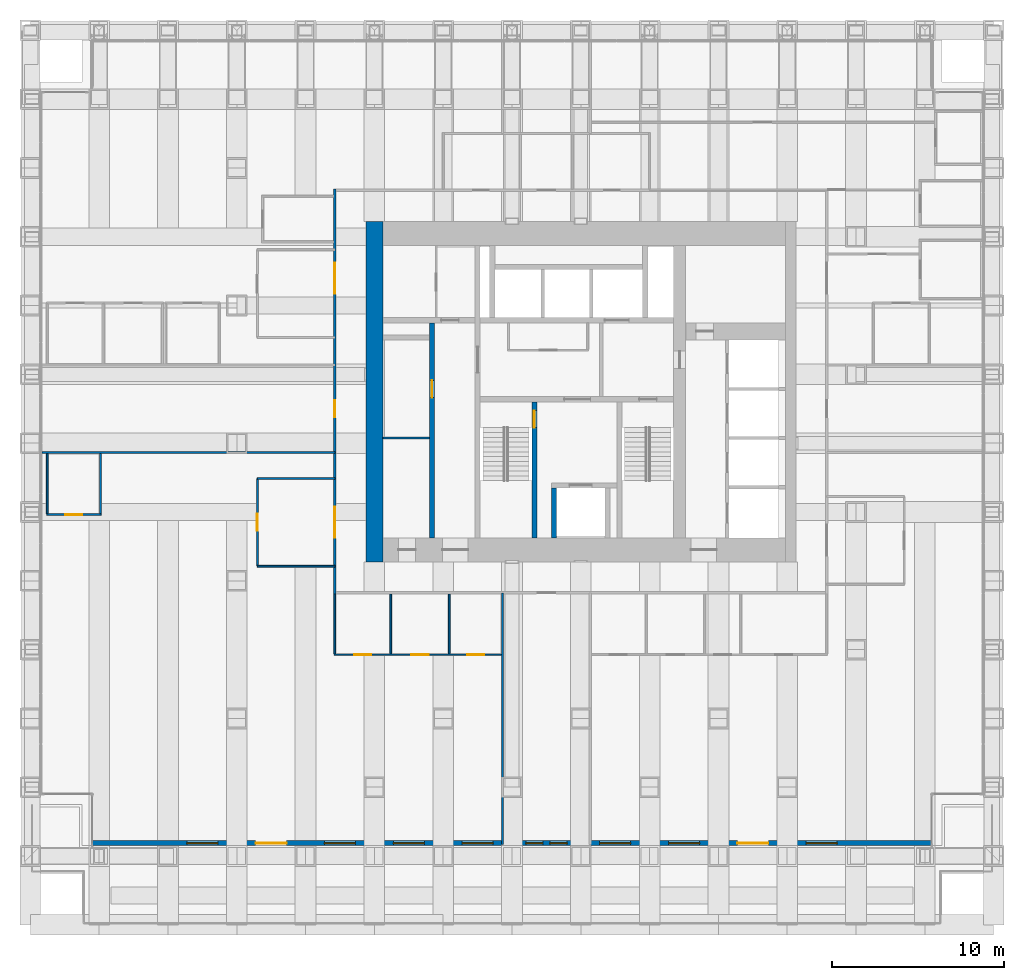
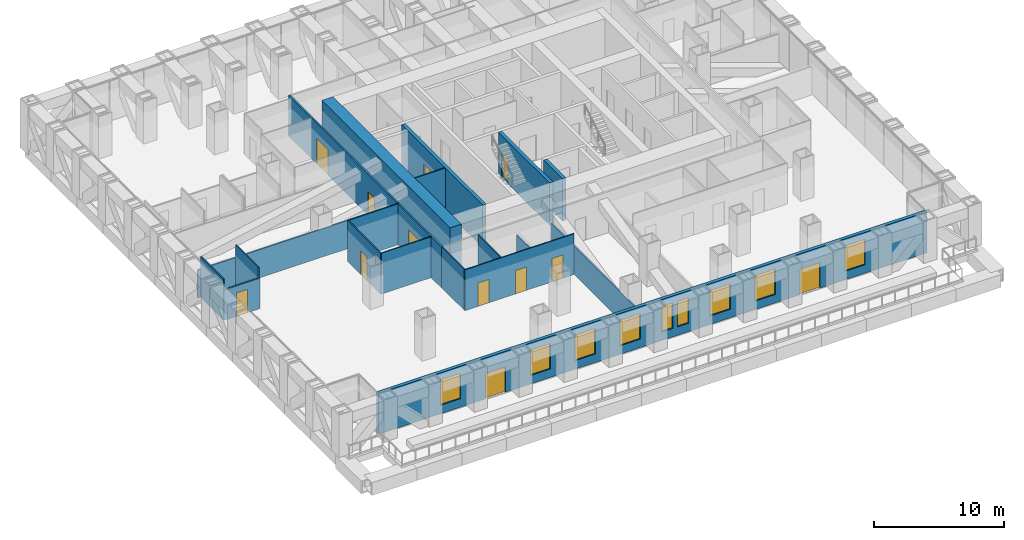
# One storey, part 12 of 18: 19 walls, 12 doors, 9 windows, 21 openings.
"""IFC4 building model written with IfcOpenShell, lengths in metres."""

from ifc_helpers import new_model, si_unit, direction, frame, frame_2d, origin, place, context, subcontext, project, spatial, rectangle, extrude, material, layer, layer_set, type_object, element, fill, save


model = new_model("IFC4")

# Units and contexts
model_context = context("Model", 3, precision=1e-05, world=origin(), true_north=direction((0.0, 1.0)))
body_context = subcontext(model_context, "Body", "Model", "MODEL_VIEW")
ifc_project = project(units=[si_unit("LENGTHUNIT", "METRE"), si_unit("AREAUNIT", "SQUARE_METRE"), si_unit("VOLUMEUNIT", "CUBIC_METRE"), si_unit("PLANEANGLEUNIT", "RADIAN"), si_unit("MASSUNIT", "GRAM", prefix="KILO")], contexts=[model_context])

# Site, building, storey
site_placement = place(None, origin())
site = spatial("IfcSite", under=ifc_project, at=site_placement, CompositionType="ELEMENT")
building_placement = place(site_placement, origin())
building = spatial("IfcBuilding", under=site, at=building_placement, Name="Rimbunsela Tower", CompositionType="ELEMENT")
storey_placement = place(building_placement, frame((0.0, 0.0, 43.0)))
storey = spatial("IfcBuildingStorey", under=building, at=storey_placement, Name="L10", CompositionType="ELEMENT", Elevation=43.0)

# Wall, opening, door
ifc_material_1 = material(Name="Concrete fc' 80 MPa", Category="concrete")
ifc_layer_1 = layer(ifc_material_1, 0.300048828125)
ifc_layer_set_1 = layer_set([ifc_layer_1], Name="Core internal wall 300")
wall_type_1 = type_object("IfcWallType", Name="Core internal wall 300", PredefinedType="SHEAR", material=ifc_layer_set_1)
wall_1_placement = place(storey_placement, frame((27.300048828125, 18.5, -0.14990234375), z_axis=(0.0, 0.0, 1.0), x_axis=(0.0, 1.0, 0.0)))
wall_1 = element("IfcWall", 1, at=wall_1_placement, inside=storey, type_object=wall_type_1, Name="Stair A enclosure", PredefinedType="SHEAR", context=body_context, shape_type="SweptSolid", body=[
    extrude(rectangle(XDim=7.89990234375, YDim=0.300048828125, at=frame_2d((3.949951171875, 0.0))), origin(), (0.0, 0.0, 1.0), 4.0),
])
opening_1_placement = place(wall_1_placement, frame((6.39990234375, 0.0, 0.14990234375)))
opening_1 = element("IfcOpeningElement", 2, at=opening_1_placement, cuts=wall_1, Name="Opening D01", PredefinedType="OPENING", context=body_context, shape_type="SweptSolid", body=[
    extrude(rectangle(XDim=1.0, YDim=2.199951171875, at=frame_2d((0.5, 1.10009765625))), frame((0.0, 0.159912109375, 0.0), z_axis=(0.0, -1.0, 0.0), x_axis=(1.0, 0.0, 0.0)), (0.0, 0.0, 1.0), 0.320068359375),
])
ifc_material_2 = material(Name="Steel door, fire rated", Category="steel")
door_type_1 = type_object("IfcDoorType", Name="Stair door 1000", OperationType="SINGLE_SWING_RIGHT", PredefinedType="DOOR", material=ifc_material_2)
door_1_placement = place(opening_1_placement, origin())
door_1 = element("IfcDoor", 3, at=door_1_placement, inside=storey, type_object=door_type_1, Name="Stair A door", OperationType="SINGLE_SWING_RIGHT", OverallHeight=2.199951171875, OverallWidth=1.0, PredefinedType="DOOR", context=body_context, shape_type="SweptSolid", body=[
    extrude(rectangle(XDim=1.0, YDim=2.199951171875, at=frame_2d((0.5, 1.10009765625))), frame((0.0, 0.02490234375, 0.0), z_axis=(0.0, -1.0, 0.0), x_axis=(1.0, 0.0, 0.0)), (0.0, 0.0, 1.0), 0.050048828125),
])
fill(opening_1, door_1)

# Wall
wall_2_placement = place(storey_placement, frame((28.449951171875, 18.5, -0.14990234375), z_axis=(0.0, 0.0, 1.0), x_axis=(0.0, 1.0, 0.0)))
element("IfcWall", 4, at=wall_2_placement, inside=storey, type_object=wall_type_1, Name="Firefighting lift shaft west", PredefinedType="SHEAR", context=body_context, shape_type="SweptSolid", body=[
    extrude(rectangle(XDim=2.89990234375, YDim=0.300048828125, at=frame_2d((1.449951171875, 0.0))), origin(), (0.0, 0.0, 1.0), 4.0),
])

# Wall, opening, door
wall_3_placement = place(storey_placement, frame((21.35009765625, 18.5, -0.14990234375), z_axis=(0.0, 0.0, 1.0), x_axis=(0.0, 1.0, 0.0)))
wall_3 = element("IfcWall", 5, at=wall_3_placement, inside=storey, type_object=wall_type_1, Name="Lift shaft front west", PredefinedType="SHEAR", context=body_context, shape_type="SweptSolid", body=[
    extrude(rectangle(XDim=12.5, YDim=0.300048828125, at=frame_2d((6.25, 0.0))), origin(), (0.0, 0.0, 1.0), 4.0),
])
opening_2_placement = place(wall_3_placement, frame((8.14990234375, 0.0, 0.14990234375)))
opening_2 = element("IfcOpeningElement", 6, at=opening_2_placement, cuts=wall_3, Name="Opening D19", PredefinedType="OPENING", context=body_context, shape_type="SweptSolid", body=[
    extrude(rectangle(XDim=1.0, YDim=2.199951171875, at=frame_2d((0.5, 1.10009765625))), frame((0.0, 0.159912109375, 0.0), z_axis=(0.0, -1.0, 0.0), x_axis=(1.0, 0.0, 0.0)), (0.0, 0.0, 1.0), 0.320068359375),
])
ifc_material_3 = material(Name="Steel door, fire rated", Category="steel")
door_type_2 = type_object("IfcDoorType", Name="Service door 1000 fire rated", OperationType="SINGLE_SWING_LEFT", PredefinedType="DOOR", material=ifc_material_3)
door_2_placement = place(opening_2_placement, origin())
door_2 = element("IfcDoor", 7, at=door_2_placement, inside=storey, type_object=door_type_2, Name="Staff WC door", OperationType="SINGLE_SWING_LEFT", OverallHeight=2.199951171875, OverallWidth=1.0, PredefinedType="DOOR", context=body_context, shape_type="SweptSolid", body=[
    extrude(rectangle(XDim=1.0, YDim=2.199951171875, at=frame_2d((0.5, 1.10009765625))), frame((0.0, 0.02490234375, 0.0), z_axis=(0.0, -1.0, 0.0), x_axis=(1.0, 0.0, 0.0)), (0.0, 0.0, 1.0), 0.050048828125),
])
fill(opening_2, door_2)

# Walls
ifc_material_4 = material(Name="Concrete blockwork", Category="masonry")
ifc_layer_2 = layer(ifc_material_4, 0.10009765625)
ifc_layer_set_2 = layer_set([ifc_layer_2], Name="Core room partition 100")
wall_type_2 = type_object("IfcWallType", Name="Core room partition 100", PredefinedType="PARTITIONING", material=ifc_layer_set_2)
wall_4_placement = place(storey_placement, frame((18.5, 24.300048828125, 0.0), z_axis=(0.0, 0.0, 1.0), x_axis=(1.0, 0.0, 0.0)))
element("IfcWall", 8, at=wall_4_placement, inside=storey, type_object=wall_type_2, Name="Staff WC wall", PredefinedType="PARTITIONING", context=body_context, shape_type="SweptSolid", body=[
    extrude(rectangle(XDim=2.699951171875, YDim=0.10009765625, at=frame_2d((1.35009765625, 0.0))), origin(), (0.0, 0.0, 1.0), 3.85009765625),
])
ifc_material_5 = material(Name="Concrete fc' 80 MPa", Category="concrete")
ifc_layer_3 = layer(ifc_material_5, 1.0)
ifc_layer_set_3 = layer_set([ifc_layer_3], Name="Core wall 1000")
wall_type_3 = type_object("IfcWallType", Name="Core wall 1000", PredefinedType="SHEAR", material=ifc_layer_set_3)
wall_5_placement = place(storey_placement, frame((18.0, 17.10009765625, -0.14990234375), z_axis=(0.0, 0.0, 1.0), x_axis=(0.0, 1.0, 0.0)))
element("IfcWall", 9, at=wall_5_placement, inside=storey, type_object=wall_type_3, Name="Core wall west", PredefinedType="SHEAR", context=body_context, shape_type="SweptSolid", body=[
    extrude(rectangle(XDim=19.7998046875, YDim=1.0, at=frame_2d((9.89990234375, 0.0))), origin(), (0.0, 0.0, 1.0), 4.0),
])

# Wall, openings, doors
ifc_material_6 = material(Name="Gypsum board on steel studs", Category="steel")
ifc_layer_4 = layer(ifc_material_6, 0.10009765625)
ifc_layer_set_4 = layer_set([ifc_layer_4], Name="Office partition 100")
wall_type_4 = type_object("IfcWallType", Name="Office partition 100", PredefinedType="PARTITIONING", material=ifc_layer_set_4)
wall_6_placement = place(storey_placement, frame((15.64990234375, 11.699951171875, 0.0), z_axis=(0.0, 0.0, 1.0), x_axis=(1.0, 0.0, 0.0)))
wall_6 = element("IfcWall", 10, at=wall_6_placement, inside=storey, type_object=wall_type_4, Name="Office partition", PredefinedType="PARTITIONING", context=body_context, shape_type="SweptSolid", body=[
    extrude(rectangle(XDim=9.739013671875, YDim=0.10009765625, at=frame_2d((4.86962890625, 0.0))), origin(), (0.0, 0.0, 1.0), 3.85009765625),
])
opening_3_placement = place(wall_6_placement, frame((1.175048828125, 0.0, 0.0)))
opening_3 = element("IfcOpeningElement", 11, at=opening_3_placement, cuts=wall_6, Name="Opening D16", PredefinedType="OPENING", context=body_context, shape_type="SweptSolid", body=[
    extrude(rectangle(XDim=1.0, YDim=2.199951171875, at=frame_2d((0.5, 1.10009765625))), frame((0.0, 0.06005859375, 0.0), z_axis=(0.0, -1.0, 0.0), x_axis=(1.0, 0.0, 0.0)), (0.0, 0.0, 1.0), 0.1201171875),
])
opening_4_placement = place(wall_6_placement, frame((4.5, 0.0, 0.0)))
opening_4 = element("IfcOpeningElement", 12, at=opening_4_placement, cuts=wall_6, Name="Opening D16", PredefinedType="OPENING", context=body_context, shape_type="SweptSolid", body=[
    extrude(rectangle(XDim=1.0, YDim=2.199951171875, at=frame_2d((0.5, 1.10009765625))), frame((0.0, 0.06005859375, 0.0), z_axis=(0.0, -1.0, 0.0), x_axis=(1.0, 0.0, 0.0)), (0.0, 0.0, 1.0), 0.1201171875),
])
opening_5_placement = place(wall_6_placement, frame((7.74951171875, 0.0, 0.0)))
opening_5 = element("IfcOpeningElement", 13, at=opening_5_placement, cuts=wall_6, Name="Opening D16", PredefinedType="OPENING", context=body_context, shape_type="SweptSolid", body=[
    extrude(rectangle(XDim=1.0, YDim=2.199951171875, at=frame_2d((0.5, 1.10009765625))), frame((0.0, 0.06005859375, 0.0), z_axis=(0.0, -1.0, 0.0), x_axis=(1.0, 0.0, 0.0)), (0.0, 0.0, 1.0), 0.1201171875),
])
ifc_material_7 = material(Name="Timber door", Category="wood")
door_type_3 = type_object("IfcDoorType", Name="Office door 1000", OperationType="SINGLE_SWING_LEFT", PredefinedType="DOOR", material=ifc_material_7)
door_3_placement = place(opening_3_placement, origin())
door_3 = element("IfcDoor", 14, at=door_3_placement, inside=storey, type_object=door_type_3, Name="Office door", OperationType="SINGLE_SWING_LEFT", OverallHeight=2.199951171875, OverallWidth=1.0, PredefinedType="DOOR", context=body_context, shape_type="SweptSolid", body=[
    extrude(rectangle(XDim=1.0, YDim=2.199951171875, at=frame_2d((0.5, 1.10009765625))), frame((0.0, 0.02490234375, 0.0), z_axis=(0.0, -1.0, 0.0), x_axis=(1.0, 0.0, 0.0)), (0.0, 0.0, 1.0), 0.050048828125),
])
fill(opening_3, door_3)
door_4_placement = place(opening_4_placement, origin())
door_4 = element("IfcDoor", 15, at=door_4_placement, inside=storey, type_object=door_type_3, Name="Office door", OperationType="SINGLE_SWING_LEFT", OverallHeight=2.199951171875, OverallWidth=1.0, PredefinedType="DOOR", context=body_context, shape_type="SweptSolid", body=[
    extrude(rectangle(XDim=1.0, YDim=2.199951171875, at=frame_2d((0.5, 1.10009765625))), frame((0.0, 0.02490234375, 0.0), z_axis=(0.0, -1.0, 0.0), x_axis=(1.0, 0.0, 0.0)), (0.0, 0.0, 1.0), 0.050048828125),
])
fill(opening_4, door_4)
door_5_placement = place(opening_5_placement, origin())
door_5 = element("IfcDoor", 16, at=door_5_placement, inside=storey, type_object=door_type_3, Name="Office door", OperationType="SINGLE_SWING_LEFT", OverallHeight=2.199951171875, OverallWidth=1.0, PredefinedType="DOOR", context=body_context, shape_type="SweptSolid", body=[
    extrude(rectangle(XDim=1.0, YDim=2.199951171875, at=frame_2d((0.5, 1.10009765625))), frame((0.0, 0.02490234375, 0.0), z_axis=(0.0, -1.0, 0.0), x_axis=(1.0, 0.0, 0.0)), (0.0, 0.0, 1.0), 0.050048828125),
])
fill(opening_5, door_5)

# Wall, opening, door
wall_7_placement = place(storey_placement, frame((-1.070068359375, 19.85009765625, 0.0), z_axis=(0.0, 0.0, 1.0), x_axis=(1.0, 0.0, 0.0)))
wall_7 = element("IfcWall", 17, at=wall_7_placement, inside=storey, type_object=wall_type_4, Name="Office partition", PredefinedType="PARTITIONING", context=body_context, shape_type="SweptSolid", body=[
    extrude(rectangle(XDim=3.199951171875, YDim=0.10009765625, at=frame_2d((1.60009765625, 0.0))), origin(), (0.0, 0.0, 1.0), 2.85009765625),
])
opening_6_placement = place(wall_7_placement, frame((1.10009765625, 0.0, 0.0)))
opening_6 = element("IfcOpeningElement", 18, at=opening_6_placement, cuts=wall_7, Name="Opening D16", PredefinedType="OPENING", context=body_context, shape_type="SweptSolid", body=[
    extrude(rectangle(XDim=1.0, YDim=2.199951171875, at=frame_2d((0.5, 1.10009765625))), frame((0.0, 0.06005859375, 0.0), z_axis=(0.0, -1.0, 0.0), x_axis=(1.0, 0.0, 0.0)), (0.0, 0.0, 1.0), 0.1201171875),
])
door_6_placement = place(opening_6_placement, origin())
door_6 = element("IfcDoor", 19, at=door_6_placement, inside=storey, type_object=door_type_3, Name="Office door", OperationType="SINGLE_SWING_LEFT", OverallHeight=2.199951171875, OverallWidth=1.0, PredefinedType="DOOR", context=body_context, shape_type="SweptSolid", body=[
    extrude(rectangle(XDim=1.0, YDim=2.199951171875, at=frame_2d((0.5, 1.10009765625))), frame((0.0, 0.02490234375, 0.0), z_axis=(0.0, -1.0, 0.0), x_axis=(1.0, 0.0, 0.0)), (0.0, 0.0, 1.0), 0.050048828125),
])
fill(opening_6, door_6)

# Walls
for number, where, z_axis, x_axis, name in (
    (20, (-1.02001953125, 19.89990234375, 0.0), (0.0, 0.0, 1.0), (0.0, 1.0, 0.0), "Office partition"),
    (21, (2.080078125, 19.89990234375, 0.0), (0.0, 0.0, 1.0), (0.0, 1.0, 0.0), "Office partition"),
):
    element("IfcWall", number, at=place(storey_placement, frame(where, z_axis=z_axis, x_axis=x_axis)), inside=storey, type_object=wall_type_4, Name=name, PredefinedType="PARTITIONING", context=body_context, shape_type="SweptSolid", body=[
        extrude(rectangle(XDim=3.489990234375, YDim=0.10009765625, at=frame_2d((1.7451171875, 0.0))), origin(), (0.0, 0.0, 1.0), 3.85009765625),
    ])
for number, where, z_axis, x_axis, name in (
    (22, (15.699951171875, 11.75, 0.0), (0.0, 0.0, 1.0), (0.0, 1.0, 0.0), "Office partition"),
    (23, (18.949951171875, 11.75, 0.0), (0.0, 0.0, 1.0), (0.0, 1.0, 0.0), "Office partition"),
):
    element("IfcWall", number, at=place(storey_placement, frame(where, z_axis=z_axis, x_axis=x_axis)), inside=storey, type_object=wall_type_4, Name=name, PredefinedType="PARTITIONING", context=body_context, shape_type="SweptSolid", body=[
        extrude(rectangle(XDim=3.47509765625, YDim=0.10009765625, at=frame_2d((1.737548828125, 0.0))), origin(), (0.0, 0.0, 1.0), 3.85009765625),
    ])
wall_8_placement = place(storey_placement, frame((22.35009765625, 11.75, 0.0), z_axis=(0.0, 0.0, 1.0), x_axis=(0.0, 1.0, 0.0)))
element("IfcWall", 24, at=wall_8_placement, inside=storey, type_object=wall_type_4, Name="Office partition", PredefinedType="PARTITIONING", context=body_context, shape_type="SweptSolid", body=[
    extrude(rectangle(XDim=3.47509765625, YDim=0.10009765625, at=frame_2d((1.737548828125, 0.0))), origin(), (0.0, 0.0, 1.0), 2.64990234375),
])
wall_9_placement = place(storey_placement, frame((15.699951171875, 21.948974609375, 0.0), z_axis=(0.0, 0.0, 1.0), x_axis=(-1.0, 0.0, 0.0)))
element("IfcWall", 25, at=wall_9_placement, inside=storey, type_object=wall_type_4, Name="Office partition", PredefinedType="PARTITIONING", context=body_context, shape_type="SweptSolid", body=[
    extrude(rectangle(XDim=4.5, YDim=0.10009765625, at=frame_2d((2.25, 0.0))), origin(), (0.0, 0.0, 1.0), 3.85009765625),
])

# Wall, opening, door
wall_10_placement = place(storey_placement, frame((11.199951171875, 21.948974609375, 0.0), z_axis=(0.0, 0.0, 1.0), x_axis=(0.0, -1.0, 0.0)))
wall_10 = element("IfcWall", 26, at=wall_10_placement, inside=storey, type_object=wall_type_4, Name="Office partition", PredefinedType="PARTITIONING", context=body_context, shape_type="SweptSolid", body=[
    extrude(rectangle(XDim=5.099853515625, YDim=0.10009765625, at=frame_2d((2.5498046875, 0.0))), origin(), (0.0, 0.0, 1.0), 3.85009765625),
])
opening_7_placement = place(wall_10_placement, frame((2.050048828125, 0.0, 0.0)))
opening_7 = element("IfcOpeningElement", 27, at=opening_7_placement, cuts=wall_10, Name="Opening D17", PredefinedType="OPENING", context=body_context, shape_type="SweptSolid", body=[
    extrude(rectangle(XDim=1.0, YDim=2.199951171875, at=frame_2d((0.5, 1.10009765625))), frame((0.0, 0.06005859375, 0.0), z_axis=(0.0, -1.0, 0.0), x_axis=(1.0, 0.0, 0.0)), (0.0, 0.0, 1.0), 0.1201171875),
])
ifc_material_8 = material(Name="Glazed aluminium door", Category="aluminium")
door_type_4 = type_object("IfcDoorType", Name="Meeting room door 1000 glazed", OperationType="SINGLE_SWING_RIGHT", PredefinedType="DOOR", material=ifc_material_8)
door_7_placement = place(opening_7_placement, origin())
door_7 = element("IfcDoor", 28, at=door_7_placement, inside=storey, type_object=door_type_4, Name="Reception door", OperationType="SINGLE_SWING_RIGHT", OverallHeight=2.199951171875, OverallWidth=1.0, PredefinedType="DOOR", context=body_context, shape_type="SweptSolid", body=[
    extrude(rectangle(XDim=1.0, YDim=2.199951171875, at=frame_2d((0.5, 1.10009765625))), frame((0.0, 0.02490234375, 0.0), z_axis=(0.0, -1.0, 0.0), x_axis=(1.0, 0.0, 0.0)), (0.0, 0.0, 1.0), 0.050048828125),
])
fill(opening_7, door_7)

# Wall
wall_11_placement = place(storey_placement, frame((11.199951171875, 16.84912109375, 0.0), z_axis=(0.0, 0.0, 1.0), x_axis=(1.0, 0.0, 0.0)))
element("IfcWall", 29, at=wall_11_placement, inside=storey, type_object=wall_type_4, Name="Office partition", PredefinedType="PARTITIONING", context=body_context, shape_type="SweptSolid", body=[
    extrude(rectangle(XDim=4.5, YDim=0.10009765625, at=frame_2d((2.25, 0.0))), origin(), (0.0, 0.0, 1.0), 3.85009765625),
])

# Wall, openings, doors
ifc_material_9 = material(Name="Fire-rated gypsum board on steel studs, EI 60", Category="steel")
ifc_layer_5 = layer(ifc_material_9, 0.14990234375)
ifc_layer_set_5 = layer_set([ifc_layer_5], Name="Rated corridor wall 150")
wall_type_5 = type_object("IfcWallType", Name="Rated corridor wall 150", PredefinedType="PARTITIONING", material=ifc_layer_set_5)
wall_12_placement = place(storey_placement, frame((15.699951171875, 15.22509765625, 0.0), z_axis=(0.0, 0.0, 1.0), x_axis=(0.0, 1.0, 0.0)))
wall_12 = element("IfcWall", 30, at=wall_12_placement, inside=storey, type_object=wall_type_5, Name="Corridor wall west", PredefinedType="PARTITIONING", context=body_context, shape_type="SweptSolid", body=[
    extrude(rectangle(XDim=23.5498046875, YDim=0.14990234375, at=frame_2d((11.77490234375, 0.0))), origin(), (0.0, 0.0, 1.0), 3.85009765625),
])
opening_8_placement = place(wall_12_placement, frame((3.27392578125, 0.0, 0.0)))
opening_8 = element("IfcOpeningElement", 31, at=opening_8_placement, cuts=wall_12, Name="Opening D09", PredefinedType="OPENING", context=body_context, shape_type="SweptSolid", body=[
    extrude(rectangle(XDim=1.800048828125, YDim=2.39990234375, at=frame_2d((0.89990234375, 1.199951171875))), frame((0.0, 0.0849609375, 0.0), z_axis=(0.0, -1.0, 0.0), x_axis=(1.0, 0.0, 0.0)), (0.0, 0.0, 1.0), 0.169921875),
])
opening_9_placement = place(wall_12_placement, frame((17.47509765625, 0.0, 0.0)))
opening_9 = element("IfcOpeningElement", 32, at=opening_9_placement, cuts=wall_12, Name="Opening D09", PredefinedType="OPENING", context=body_context, shape_type="SweptSolid", body=[
    extrude(rectangle(XDim=1.800048828125, YDim=2.39990234375, at=frame_2d((0.89990234375, 1.199951171875))), frame((0.0, 0.0849609375, 0.0), z_axis=(0.0, -1.0, 0.0), x_axis=(1.0, 0.0, 0.0)), (0.0, 0.0, 1.0), 0.169921875),
])
opening_10_placement = place(wall_12_placement, frame((10.27490234375, 0.0, 0.0)))
opening_10 = element("IfcOpeningElement", 33, at=opening_10_placement, cuts=wall_12, Name="Opening D19", PredefinedType="OPENING", context=body_context, shape_type="SweptSolid", body=[
    extrude(rectangle(XDim=1.0, YDim=2.199951171875, at=frame_2d((0.5, 1.10009765625))), frame((0.0, 0.0849609375, 0.0), z_axis=(0.0, -1.0, 0.0), x_axis=(1.0, 0.0, 0.0)), (0.0, 0.0, 1.0), 0.169921875),
])
door_8_placement = place(opening_10_placement, origin())
door_8 = element("IfcDoor", 34, at=door_8_placement, inside=storey, type_object=door_type_2, Name="Service chase access door", OperationType="SINGLE_SWING_LEFT", OverallHeight=2.199951171875, OverallWidth=1.0, PredefinedType="DOOR", context=body_context, shape_type="SweptSolid", body=[
    extrude(rectangle(XDim=1.0, YDim=2.199951171875, at=frame_2d((0.5, 1.10009765625))), frame((0.0, 0.02490234375, 0.0), z_axis=(0.0, -1.0, 0.0), x_axis=(1.0, 0.0, 0.0)), (0.0, 0.0, 1.0), 0.050048828125),
])
fill(opening_10, door_8)
ifc_material_10 = material(Name="Glazed aluminium door, fire rated", Category="aluminium")
door_type_5 = type_object("IfcDoorType", Name="Tenancy door 1800 glazed", OperationType="DOUBLE_DOOR_DOUBLE_SWING", PredefinedType="DOOR", material=ifc_material_10)
door_9_placement = place(opening_8_placement, origin())
door_9 = element("IfcDoor", 35, at=door_9_placement, inside=storey, type_object=door_type_5, Name="Tenancy door", OperationType="DOUBLE_DOOR_DOUBLE_SWING", OverallHeight=2.39990234375, OverallWidth=1.800048828125, PredefinedType="DOOR", context=body_context, shape_type="SweptSolid", body=[
    extrude(rectangle(XDim=1.800048828125, YDim=2.39990234375, at=frame_2d((0.89990234375, 1.199951171875))), frame((0.0, 0.02490234375, 0.0), z_axis=(0.0, -1.0, 0.0), x_axis=(1.0, 0.0, 0.0)), (0.0, 0.0, 1.0), 0.050048828125),
])
fill(opening_8, door_9)
door_10_placement = place(opening_9_placement, origin())
door_10 = element("IfcDoor", 36, at=door_10_placement, inside=storey, type_object=door_type_5, Name="Tenancy door", OperationType="DOUBLE_DOOR_DOUBLE_SWING", OverallHeight=2.39990234375, OverallWidth=1.800048828125, PredefinedType="DOOR", context=body_context, shape_type="SweptSolid", body=[
    extrude(rectangle(XDim=1.800048828125, YDim=2.39990234375, at=frame_2d((0.89990234375, 1.199951171875))), frame((0.0, 0.02490234375, 0.0), z_axis=(0.0, -1.0, 0.0), x_axis=(1.0, 0.0, 0.0)), (0.0, 0.0, 1.0), 0.050048828125),
])
fill(opening_9, door_10)

# Walls
ifc_material_11 = material(Name="Gypsum board on steel studs", Category="steel")
ifc_layer_6 = layer(ifc_material_11, 0.1201171875)
ifc_layer_set_6 = layer_set([ifc_layer_6], Name="Tenancy partition 120")
wall_type_6 = type_object("IfcWallType", Name="Tenancy partition 120", PredefinedType="PARTITIONING", material=ifc_layer_set_6)
wall_13_placement = place(storey_placement, frame((25.449951171875, 0.679931640625, 0.0), z_axis=(0.0, 0.0, 1.0), x_axis=(0.0, 1.0, 0.0)))
element("IfcWall", 37, at=wall_13_placement, inside=storey, type_object=wall_type_6, Name="Tenancy partition", PredefinedType="PARTITIONING", context=body_context, shape_type="SweptSolid", body=[
    extrude(rectangle(XDim=14.6201171875, YDim=0.1201171875, at=frame_2d((7.31005859375, 0.0))), origin(), (0.0, 0.0, 1.0), 2.64990234375),
])
wall_14_placement = place(storey_placement, frame((-1.320068359375, 23.449951171875, 0.0), z_axis=(0.0, 0.0, 1.0), x_axis=(1.0, 0.0, 0.0)))
element("IfcWall", 38, at=wall_14_placement, inside=storey, type_object=wall_type_6, Name="Tenancy partition", PredefinedType="PARTITIONING", context=body_context, shape_type="SweptSolid", body=[
    extrude(rectangle(XDim=17.02001953125, YDim=0.1201171875, at=frame_2d((8.510009765625, 0.0))), origin(), (0.0, 0.0, 1.0), 2.64990234375),
])

# Wall, openings, doors, windows
ifc_material_12 = material(Name="Precast concrete fc' 35 MPa", Category="concrete")
ifc_layer_7 = layer(ifc_material_12, 0.300048828125)
ifc_layer_set_7 = layer_set([ifc_layer_7], Name="Terrace wall 300")
wall_type_7 = type_object("IfcWallType", Name="Terrace wall 300", PredefinedType="ELEMENTEDWALL", material=ifc_layer_set_7)
wall_15_placement = place(storey_placement, frame((1.60009765625, 0.75, 0.0), z_axis=(0.0, 0.0, 1.0), x_axis=(1.0, 0.0, 0.0)))
wall_15 = element("IfcWall", 39, at=wall_15_placement, inside=storey, type_object=wall_type_7, Name="Terrace wall S L10", PredefinedType="ELEMENTEDWALL", context=body_context, shape_type="SweptSolid", body=[
    extrude(rectangle(XDim=48.7998046875, YDim=0.300048828125, at=frame_2d((24.39990234375, 0.0))), origin(), (0.0, 0.0, 1.0), 3.85009765625),
])
opening_11_placement = place(wall_15_placement, frame((5.5, 0.0, 0.800048828125)))
opening_11 = element("IfcOpeningElement", 40, at=opening_11_placement, cuts=wall_15, Name="Opening W3", PredefinedType="OPENING", context=body_context, shape_type="SweptSolid", body=[
    extrude(rectangle(XDim=1.800048828125, YDim=2.39990234375, at=frame_2d((0.89990234375, 1.199951171875))), frame((0.0, 0.159912109375, 0.0), z_axis=(0.0, -1.0, 0.0), x_axis=(1.0, 0.0, 0.0)), (0.0, 0.0, 1.0), 0.320068359375),
])
opening_12_placement = place(wall_15_placement, frame((9.5, 0.0, 0.0)))
opening_12 = element("IfcOpeningElement", 41, at=opening_12_placement, cuts=wall_15, Name="Opening TD1", PredefinedType="OPENING", context=body_context, shape_type="SweptSolid", body=[
    extrude(rectangle(XDim=1.800048828125, YDim=2.39990234375, at=frame_2d((0.89990234375, 1.199951171875))), frame((0.0, 0.159912109375, 0.0), z_axis=(0.0, -1.0, 0.0), x_axis=(1.0, 0.0, 0.0)), (0.0, 0.0, 1.0), 0.320068359375),
])
opening_13_placement = place(wall_15_placement, frame((13.5, 0.0, 0.800048828125)))
opening_13 = element("IfcOpeningElement", 42, at=opening_13_placement, cuts=wall_15, Name="Opening W3", PredefinedType="OPENING", context=body_context, shape_type="SweptSolid", body=[
    extrude(rectangle(XDim=1.800048828125, YDim=2.39990234375, at=frame_2d((0.89990234375, 1.199951171875))), frame((0.0, 0.159912109375, 0.0), z_axis=(0.0, -1.0, 0.0), x_axis=(1.0, 0.0, 0.0)), (0.0, 0.0, 1.0), 0.320068359375),
])
opening_14_placement = place(wall_15_placement, frame((17.5, 0.0, 0.800048828125)))
opening_14 = element("IfcOpeningElement", 43, at=opening_14_placement, cuts=wall_15, Name="Opening W3", PredefinedType="OPENING", context=body_context, shape_type="SweptSolid", body=[
    extrude(rectangle(XDim=1.800048828125, YDim=2.39990234375, at=frame_2d((0.89990234375, 1.199951171875))), frame((0.0, 0.159912109375, 0.0), z_axis=(0.0, -1.0, 0.0), x_axis=(1.0, 0.0, 0.0)), (0.0, 0.0, 1.0), 0.320068359375),
])
opening_15_placement = place(wall_15_placement, frame((21.5, 0.0, 0.800048828125)))
opening_15 = element("IfcOpeningElement", 44, at=opening_15_placement, cuts=wall_15, Name="Opening W3", PredefinedType="OPENING", context=body_context, shape_type="SweptSolid", body=[
    extrude(rectangle(XDim=1.800048828125, YDim=2.39990234375, at=frame_2d((0.89990234375, 1.199951171875))), frame((0.0, 0.159912109375, 0.0), z_axis=(0.0, -1.0, 0.0), x_axis=(1.0, 0.0, 0.0)), (0.0, 0.0, 1.0), 0.320068359375),
])
opening_16_placement = place(wall_15_placement, frame((25.199951171875, 0.0, 0.800048828125)))
opening_16 = element("IfcOpeningElement", 45, at=opening_16_placement, cuts=wall_15, Name="Opening W6", PredefinedType="OPENING", context=body_context, shape_type="SweptSolid", body=[
    extrude(rectangle(XDim=1.0, YDim=2.39990234375, at=frame_2d((0.5, 1.199951171875))), frame((0.0, 0.159912109375, 0.0), z_axis=(0.0, -1.0, 0.0), x_axis=(1.0, 0.0, 0.0)), (0.0, 0.0, 1.0), 0.320068359375),
])
opening_17_placement = place(wall_15_placement, frame((26.60009765625, 0.0, 0.800048828125)))
opening_17 = element("IfcOpeningElement", 46, at=opening_17_placement, cuts=wall_15, Name="Opening W6", PredefinedType="OPENING", context=body_context, shape_type="SweptSolid", body=[
    extrude(rectangle(XDim=1.0, YDim=2.39990234375, at=frame_2d((0.5, 1.199951171875))), frame((0.0, 0.159912109375, 0.0), z_axis=(0.0, -1.0, 0.0), x_axis=(1.0, 0.0, 0.0)), (0.0, 0.0, 1.0), 0.320068359375),
])
opening_18_placement = place(wall_15_placement, frame((29.5, 0.0, 0.800048828125)))
opening_18 = element("IfcOpeningElement", 47, at=opening_18_placement, cuts=wall_15, Name="Opening W3", PredefinedType="OPENING", context=body_context, shape_type="SweptSolid", body=[
    extrude(rectangle(XDim=1.800048828125, YDim=2.39990234375, at=frame_2d((0.89990234375, 1.199951171875))), frame((0.0, 0.159912109375, 0.0), z_axis=(0.0, -1.0, 0.0), x_axis=(1.0, 0.0, 0.0)), (0.0, 0.0, 1.0), 0.320068359375),
])
opening_19_placement = place(wall_15_placement, frame((33.5, 0.0, 0.800048828125)))
opening_19 = element("IfcOpeningElement", 48, at=opening_19_placement, cuts=wall_15, Name="Opening W3", PredefinedType="OPENING", context=body_context, shape_type="SweptSolid", body=[
    extrude(rectangle(XDim=1.800048828125, YDim=2.39990234375, at=frame_2d((0.89990234375, 1.199951171875))), frame((0.0, 0.159912109375, 0.0), z_axis=(0.0, -1.0, 0.0), x_axis=(1.0, 0.0, 0.0)), (0.0, 0.0, 1.0), 0.320068359375),
])
opening_20_placement = place(wall_15_placement, frame((37.5, 0.0, 0.0)))
opening_20 = element("IfcOpeningElement", 49, at=opening_20_placement, cuts=wall_15, Name="Opening TD1", PredefinedType="OPENING", context=body_context, shape_type="SweptSolid", body=[
    extrude(rectangle(XDim=1.800048828125, YDim=2.39990234375, at=frame_2d((0.89990234375, 1.199951171875))), frame((0.0, 0.159912109375, 0.0), z_axis=(0.0, -1.0, 0.0), x_axis=(1.0, 0.0, 0.0)), (0.0, 0.0, 1.0), 0.320068359375),
])
opening_21_placement = place(wall_15_placement, frame((41.5, 0.0, 0.800048828125)))
opening_21 = element("IfcOpeningElement", 50, at=opening_21_placement, cuts=wall_15, Name="Opening W3", PredefinedType="OPENING", context=body_context, shape_type="SweptSolid", body=[
    extrude(rectangle(XDim=1.800048828125, YDim=2.39990234375, at=frame_2d((0.89990234375, 1.199951171875))), frame((0.0, 0.159912109375, 0.0), z_axis=(0.0, -1.0, 0.0), x_axis=(1.0, 0.0, 0.0)), (0.0, 0.0, 1.0), 0.320068359375),
])
ifc_material_13 = material(Name="Glazed aluminium door", Category="aluminium")
door_type_6 = type_object("IfcDoorType", Name="Terrace door 1800", OperationType="DOUBLE_DOOR_SLIDING", PredefinedType="DOOR", material=ifc_material_13)
door_11_placement = place(opening_12_placement, origin())
door_11 = element("IfcDoor", 51, at=door_11_placement, inside=storey, type_object=door_type_6, Name="Terrace door", OperationType="DOUBLE_DOOR_SLIDING", OverallHeight=2.39990234375, OverallWidth=1.800048828125, PredefinedType="DOOR", context=body_context, shape_type="SweptSolid", body=[
    extrude(rectangle(XDim=1.800048828125, YDim=2.39990234375, at=frame_2d((0.89990234375, 1.199951171875))), frame((0.0, 0.02490234375, 0.0), z_axis=(0.0, -1.0, 0.0), x_axis=(1.0, 0.0, 0.0)), (0.0, 0.0, 1.0), 0.050048828125),
])
fill(opening_12, door_11)
door_12_placement = place(opening_20_placement, origin())
door_12 = element("IfcDoor", 52, at=door_12_placement, inside=storey, type_object=door_type_6, Name="Terrace door", OperationType="DOUBLE_DOOR_SLIDING", OverallHeight=2.39990234375, OverallWidth=1.800048828125, PredefinedType="DOOR", context=body_context, shape_type="SweptSolid", body=[
    extrude(rectangle(XDim=1.800048828125, YDim=2.39990234375, at=frame_2d((0.89990234375, 1.199951171875))), frame((0.0, 0.02490234375, 0.0), z_axis=(0.0, -1.0, 0.0), x_axis=(1.0, 0.0, 0.0)), (0.0, 0.0, 1.0), 0.050048828125),
])
fill(opening_20, door_12)
ifc_material_14 = material(Name="Clear glass in aluminium frame", Category="aluminium")
window_type_1 = type_object("IfcWindowType", Name="Window W3 1800x2400", PartitioningType="SINGLE_PANEL", PredefinedType="WINDOW", material=ifc_material_14)
window_1_placement = place(opening_11_placement, origin())
window_1 = element("IfcWindow", 53, at=window_1_placement, inside=storey, type_object=window_type_1, Name="Window L10", OverallHeight=2.39990234375, OverallWidth=1.800048828125, PartitioningType="SINGLE_PANEL", PredefinedType="WINDOW", context=body_context, shape_type="SweptSolid", body=[
    extrude(rectangle(XDim=1.800048828125, YDim=2.39990234375, at=frame_2d((0.89990234375, 1.199951171875))), frame((0.0, 0.030029296875, 0.0), z_axis=(0.0, -1.0, 0.0), x_axis=(1.0, 0.0, 0.0)), (0.0, 0.0, 1.0), 0.06005859375),
])
fill(opening_11, window_1)
window_2_placement = place(opening_13_placement, origin())
window_2 = element("IfcWindow", 54, at=window_2_placement, inside=storey, type_object=window_type_1, Name="Window L10", OverallHeight=2.39990234375, OverallWidth=1.800048828125, PartitioningType="SINGLE_PANEL", PredefinedType="WINDOW", context=body_context, shape_type="SweptSolid", body=[
    extrude(rectangle(XDim=1.800048828125, YDim=2.39990234375, at=frame_2d((0.89990234375, 1.199951171875))), frame((0.0, 0.030029296875, 0.0), z_axis=(0.0, -1.0, 0.0), x_axis=(1.0, 0.0, 0.0)), (0.0, 0.0, 1.0), 0.06005859375),
])
fill(opening_13, window_2)
window_3_placement = place(opening_14_placement, origin())
window_3 = element("IfcWindow", 55, at=window_3_placement, inside=storey, type_object=window_type_1, Name="Window L10", OverallHeight=2.39990234375, OverallWidth=1.800048828125, PartitioningType="SINGLE_PANEL", PredefinedType="WINDOW", context=body_context, shape_type="SweptSolid", body=[
    extrude(rectangle(XDim=1.800048828125, YDim=2.39990234375, at=frame_2d((0.89990234375, 1.199951171875))), frame((0.0, 0.030029296875, 0.0), z_axis=(0.0, -1.0, 0.0), x_axis=(1.0, 0.0, 0.0)), (0.0, 0.0, 1.0), 0.06005859375),
])
fill(opening_14, window_3)
window_4_placement = place(opening_15_placement, origin())
window_4 = element("IfcWindow", 56, at=window_4_placement, inside=storey, type_object=window_type_1, Name="Window L10", OverallHeight=2.39990234375, OverallWidth=1.800048828125, PartitioningType="SINGLE_PANEL", PredefinedType="WINDOW", context=body_context, shape_type="SweptSolid", body=[
    extrude(rectangle(XDim=1.800048828125, YDim=2.39990234375, at=frame_2d((0.89990234375, 1.199951171875))), frame((0.0, 0.030029296875, 0.0), z_axis=(0.0, -1.0, 0.0), x_axis=(1.0, 0.0, 0.0)), (0.0, 0.0, 1.0), 0.06005859375),
])
fill(opening_15, window_4)
window_5_placement = place(opening_18_placement, origin())
window_5 = element("IfcWindow", 57, at=window_5_placement, inside=storey, type_object=window_type_1, Name="Window L10", OverallHeight=2.39990234375, OverallWidth=1.800048828125, PartitioningType="SINGLE_PANEL", PredefinedType="WINDOW", context=body_context, shape_type="SweptSolid", body=[
    extrude(rectangle(XDim=1.800048828125, YDim=2.39990234375, at=frame_2d((0.89990234375, 1.199951171875))), frame((0.0, 0.030029296875, 0.0), z_axis=(0.0, -1.0, 0.0), x_axis=(1.0, 0.0, 0.0)), (0.0, 0.0, 1.0), 0.06005859375),
])
fill(opening_18, window_5)
window_6_placement = place(opening_19_placement, origin())
window_6 = element("IfcWindow", 58, at=window_6_placement, inside=storey, type_object=window_type_1, Name="Window L10", OverallHeight=2.39990234375, OverallWidth=1.800048828125, PartitioningType="SINGLE_PANEL", PredefinedType="WINDOW", context=body_context, shape_type="SweptSolid", body=[
    extrude(rectangle(XDim=1.800048828125, YDim=2.39990234375, at=frame_2d((0.89990234375, 1.199951171875))), frame((0.0, 0.030029296875, 0.0), z_axis=(0.0, -1.0, 0.0), x_axis=(1.0, 0.0, 0.0)), (0.0, 0.0, 1.0), 0.06005859375),
])
fill(opening_19, window_6)
window_7_placement = place(opening_21_placement, origin())
window_7 = element("IfcWindow", 59, at=window_7_placement, inside=storey, type_object=window_type_1, Name="Window L10", OverallHeight=2.39990234375, OverallWidth=1.800048828125, PartitioningType="SINGLE_PANEL", PredefinedType="WINDOW", context=body_context, shape_type="SweptSolid", body=[
    extrude(rectangle(XDim=1.800048828125, YDim=2.39990234375, at=frame_2d((0.89990234375, 1.199951171875))), frame((0.0, 0.030029296875, 0.0), z_axis=(0.0, -1.0, 0.0), x_axis=(1.0, 0.0, 0.0)), (0.0, 0.0, 1.0), 0.06005859375),
])
fill(opening_21, window_7)
ifc_material_15 = material(Name="Clear glass in aluminium frame", Category="aluminium")
window_type_2 = type_object("IfcWindowType", Name="Window W6 1000x2400", PartitioningType="SINGLE_PANEL", PredefinedType="WINDOW", material=ifc_material_15)
window_8_placement = place(opening_16_placement, origin())
window_8 = element("IfcWindow", 60, at=window_8_placement, inside=storey, type_object=window_type_2, Name="Window L10", OverallHeight=2.39990234375, OverallWidth=1.0, PartitioningType="SINGLE_PANEL", PredefinedType="WINDOW", context=body_context, shape_type="SweptSolid", body=[
    extrude(rectangle(XDim=1.0, YDim=2.39990234375, at=frame_2d((0.5, 1.199951171875))), frame((0.0, 0.030029296875, 0.0), z_axis=(0.0, -1.0, 0.0), x_axis=(1.0, 0.0, 0.0)), (0.0, 0.0, 1.0), 0.06005859375),
])
fill(opening_16, window_8)
window_9_placement = place(opening_17_placement, origin())
window_9 = element("IfcWindow", 61, at=window_9_placement, inside=storey, type_object=window_type_2, Name="Window L10", OverallHeight=2.39990234375, OverallWidth=1.0, PartitioningType="SINGLE_PANEL", PredefinedType="WINDOW", context=body_context, shape_type="SweptSolid", body=[
    extrude(rectangle(XDim=1.0, YDim=2.39990234375, at=frame_2d((0.5, 1.199951171875))), frame((0.0, 0.030029296875, 0.0), z_axis=(0.0, -1.0, 0.0), x_axis=(1.0, 0.0, 0.0)), (0.0, 0.0, 1.0), 0.06005859375),
])
fill(opening_17, window_9)

save(model, "model.ifc")
